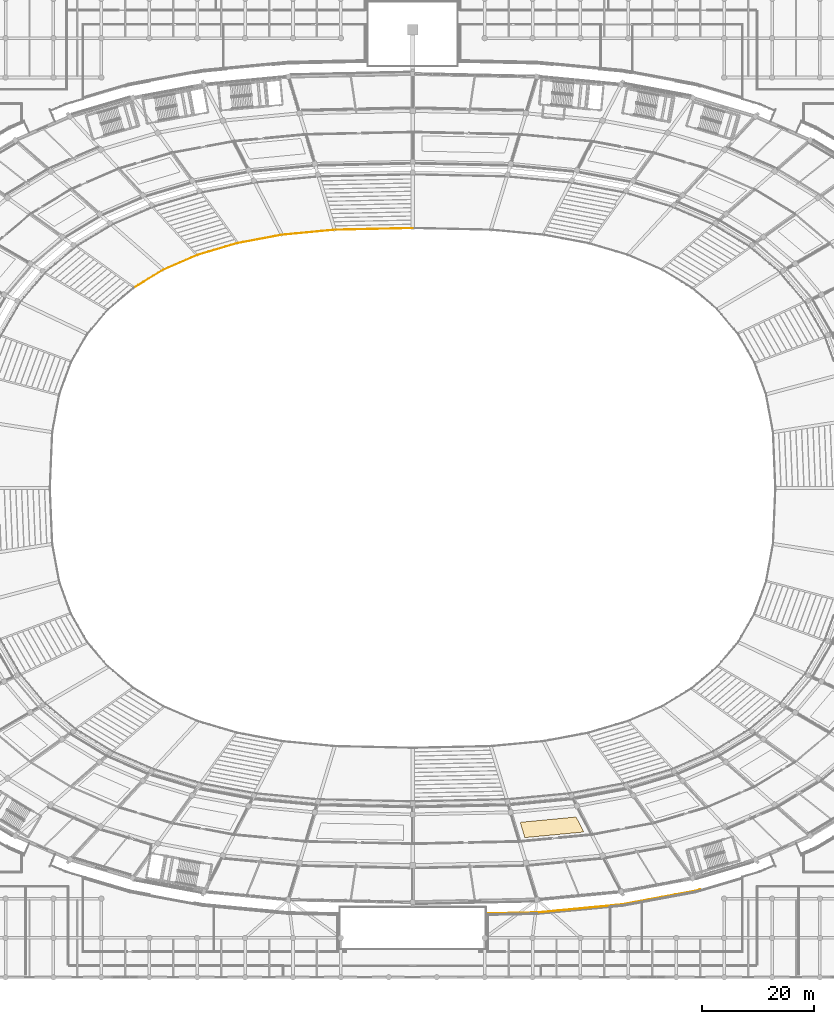
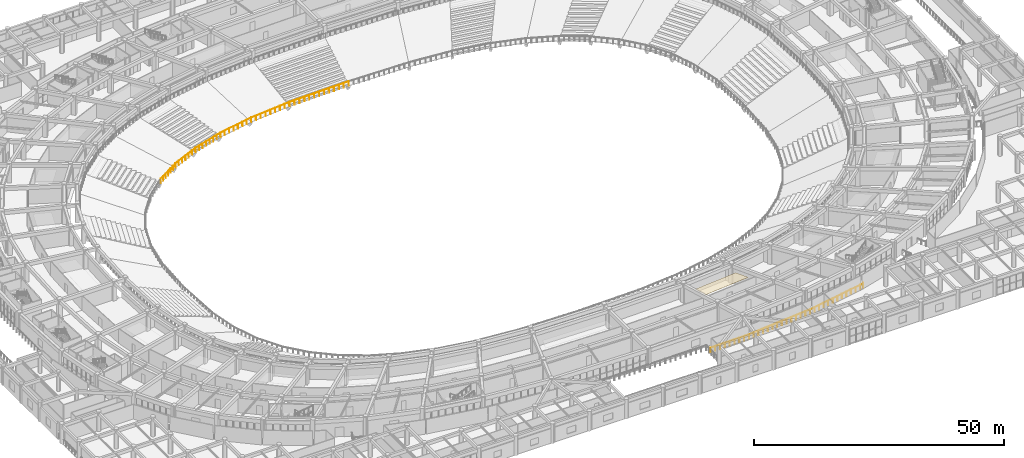
# One storey, part 133 of 152: 2 railings, 1 covering.
"""IFC4 building model written with IfcOpenShell, lengths in metres."""

from ifc_helpers import new_model, si_unit, direction, frame, origin, origin_2d, place, context, subcontext, project, spatial, polyline, circle, outline, extrude, material, layer, layer_set, type_object, element, save


model = new_model("IFC4")

# Units and contexts
model_context = context("Model", 3, precision=1e-05, world=origin(), true_north=direction((0.0, 1.0)))
body_context = subcontext(model_context, "Body", "Model", "MODEL_VIEW")
ifc_project = project(units=[si_unit("LENGTHUNIT", "METRE"), si_unit("AREAUNIT", "SQUARE_METRE"), si_unit("VOLUMEUNIT", "CUBIC_METRE"), si_unit("PLANEANGLEUNIT", "RADIAN"), si_unit("MASSUNIT", "GRAM", prefix="KILO")], contexts=[model_context])

# Site, building, storey
site_placement = place(None, origin())
site = spatial("IfcSite", under=ifc_project, at=site_placement, CompositionType="ELEMENT")
building_placement = place(site_placement, origin())
building = spatial("IfcBuilding", under=site, at=building_placement, Name="Mphavela Belvedere Stadium", CompositionType="ELEMENT")
storey_placement = place(building_placement, frame((0.0, 0.0, 5.39990234375)))
storey = spatial("IfcBuildingStorey", under=building, at=storey_placement, Name="L01", CompositionType="ELEMENT", Elevation=5.39990234375)

# Covering
ifc_material_1 = material(Name="Perforated acoustic mineral ceiling tile")
ifc_layer = layer(ifc_material_1, 0.0400390625)
ifc_layer_set = layer_set([ifc_layer], Name="Perforated acoustic mineral ceiling tile")
covering_type = type_object("IfcCoveringType", Name="COV-CEILING-ACOUSTIC", PredefinedType="CEILING", material=ifc_layer_set)
covering_placement = place(storey_placement, frame((0.0, 0.0, 3.5)))
element("IfcCovering", 1, at=covering_placement, inside=storey, type_object=covering_type, Name="Concourse acoustic ceiling L01-38", PredefinedType="CEILING", context=body_context, shape_type="SweptSolid", body=[
    extrude(outline(polyline([(134.110595703125, 27.56298828125), (144.038818359375, 28.509765625), (145.41552734375, 25.8447265625), (134.931640625, 24.84521484375), (134.110595703125, 27.56298828125)])), origin(), (0.0, 0.0, 1.0), 0.0400390625),
])

# Railings
ifc_material_2 = material(Name="Bronze and laminated glass stadium balustrade", Category="glass")
railing_type = type_object("IfcRailingType", Name="RAL-BALUSTRADE-1120", PredefinedType="BALUSTRADE", material=ifc_material_2)
railing_1_placement = place(storey_placement, frame((115.0, 133.217529296875, -4.099853515625)))
element("IfcRailing", 2, at=railing_1_placement, inside=storey, type_object=railing_type, Name="Bowl safety balustrade t1_front S3", PredefinedType="BALUSTRADE", context=body_context, shape_type="SweptSolid", body=[
    extrude(circle(Radius=0.02392578125, at=origin_2d()), frame((0.0, 0.0, 1.09619140625), z_axis=(-0.99976811519, -0.021534062558, 0.0), x_axis=(0.021534062558, -0.99976811519, 0.0)), (0.0, 0.0, 1.0), 13.876953125),
    extrude(circle(Radius=0.02392578125, at=origin_2d()), frame((-13.873779296875, -0.298828125, 1.09619140625), z_axis=(-0.995485107266, -0.094917865605, 0.0), x_axis=(0.094917865605, -0.995485107266, 0.0)), (0.0, 0.0, 1.0), 9.4267578125),
    extrude(circle(Radius=0.02392578125, at=origin_2d()), frame((-23.258056640625, -1.193603515625, 1.09619140625), z_axis=(-0.983092319169, -0.183110600433, 0.0), x_axis=(0.183110600433, -0.983092319169, 0.0)), (0.0, 0.0, 1.0), 8.12255859375),
    extrude(circle(Radius=0.02392578125, at=origin_2d()), frame((-31.2431640625, -2.680908203125, 1.09619140625), z_axis=(-0.958662145349, -0.284546817018, 0.0), x_axis=(0.284546817018, -0.958662145349, 0.0)), (0.0, 0.0, 1.0), 7.287841796875),
    extrude(circle(Radius=0.02392578125, at=origin_2d()), frame((-38.229736328125, -4.754638671875, 1.09619140625), z_axis=(-0.917505783131, -0.397722438293, 0.0), x_axis=(0.397722438293, -0.917505783131, 0.0)), (0.0, 0.0, 1.0), 6.672607421875),
    extrude(circle(Radius=0.02392578125, at=origin_2d()), frame((-44.351806640625, -7.408447265625, 1.09619140625), z_axis=(-0.854317681937, -0.519751188868, 0.0), x_axis=(0.519751188868, -0.854317681937, 0.0)), (0.0, 0.0, 1.0), 6.212158203125),
    extrude(circle(Radius=0.02099609375, at=origin_2d()), origin(), (0.0, 0.0, 1.0), 1.072021484375),
    extrude(circle(Radius=0.02099609375, at=origin_2d()), frame((-1.15625, -0.02490234375, 0.0)), (0.0, 0.0, 1.0), 1.072021484375),
    extrude(circle(Radius=0.02099609375, at=origin_2d()), frame((-2.312255859375, -0.0498046875, 0.0)), (0.0, 0.0, 1.0), 1.072021484375),
    extrude(circle(Radius=0.02099609375, at=origin_2d()), frame((-3.468505859375, -0.07470703125, 0.0)), (0.0, 0.0, 1.0), 1.072021484375),
    extrude(circle(Radius=0.02099609375, at=origin_2d()), frame((-4.62451171875, -0.099609375, 0.0)), (0.0, 0.0, 1.0), 1.072021484375),
    extrude(circle(Radius=0.02099609375, at=origin_2d()), frame((-5.78076171875, -0.12451171875, 0.0)), (0.0, 0.0, 1.0), 1.072021484375),
    extrude(circle(Radius=0.02099609375, at=origin_2d()), frame((-6.93701171875, -0.1494140625, 0.0)), (0.0, 0.0, 1.0), 1.072021484375),
    extrude(circle(Radius=0.02099609375, at=origin_2d()), frame((-8.093017578125, -0.17431640625, 0.0)), (0.0, 0.0, 1.0), 1.072021484375),
    extrude(circle(Radius=0.02099609375, at=origin_2d()), frame((-9.249267578125, -0.19921875, 0.0)), (0.0, 0.0, 1.0), 1.072021484375),
    extrude(circle(Radius=0.02099609375, at=origin_2d()), frame((-10.4052734375, -0.22412109375, 0.0)), (0.0, 0.0, 1.0), 1.072021484375),
    extrude(circle(Radius=0.02099609375, at=origin_2d()), frame((-11.5615234375, -0.2490234375, 0.0)), (0.0, 0.0, 1.0), 1.072021484375),
    extrude(circle(Radius=0.02099609375, at=origin_2d()), frame((-12.717529296875, -0.27392578125, 0.0)), (0.0, 0.0, 1.0), 1.072021484375),
    extrude(circle(Radius=0.02099609375, at=origin_2d()), frame((-13.873779296875, -0.298828125, 0.0)), (0.0, 0.0, 1.0), 1.072021484375),
    extrude(circle(Radius=0.02099609375, at=origin_2d()), frame((-15.046875, -0.41064453125, 0.0)), (0.0, 0.0, 1.0), 1.072021484375),
    extrude(circle(Radius=0.02099609375, at=origin_2d()), frame((-16.2197265625, -0.5224609375, 0.0)), (0.0, 0.0, 1.0), 1.072021484375),
    extrude(circle(Radius=0.02099609375, at=origin_2d()), frame((-17.392822265625, -0.63427734375, 0.0)), (0.0, 0.0, 1.0), 1.072021484375),
    extrude(circle(Radius=0.02099609375, at=origin_2d()), frame((-18.56591796875, -0.74609375, 0.0)), (0.0, 0.0, 1.0), 1.072021484375),
    extrude(circle(Radius=0.02099609375, at=origin_2d()), frame((-19.739013671875, -0.858154296875, 0.0)), (0.0, 0.0, 1.0), 1.072021484375),
    extrude(circle(Radius=0.02099609375, at=origin_2d()), frame((-20.912109375, -0.969970703125, 0.0)), (0.0, 0.0, 1.0), 1.072021484375),
    extrude(circle(Radius=0.02099609375, at=origin_2d()), frame((-22.0849609375, -1.081787109375, 0.0)), (0.0, 0.0, 1.0), 1.072021484375),
    extrude(circle(Radius=0.02099609375, at=origin_2d()), frame((-23.258056640625, -1.193603515625, 0.0)), (0.0, 0.0, 1.0), 1.072021484375),
    extrude(circle(Radius=0.02099609375, at=origin_2d()), frame((-24.398681640625, -1.406005859375, 0.0)), (0.0, 0.0, 1.0), 1.072021484375),
    extrude(circle(Radius=0.02099609375, at=origin_2d()), frame((-25.53955078125, -1.61865234375, 0.0)), (0.0, 0.0, 1.0), 1.072021484375),
    extrude(circle(Radius=0.02099609375, at=origin_2d()), frame((-26.68017578125, -1.8310546875, 0.0)), (0.0, 0.0, 1.0), 1.072021484375),
    extrude(circle(Radius=0.02099609375, at=origin_2d()), frame((-27.821044921875, -2.04345703125, 0.0)), (0.0, 0.0, 1.0), 1.072021484375),
    extrude(circle(Radius=0.02099609375, at=origin_2d()), frame((-28.961669921875, -2.255859375, 0.0)), (0.0, 0.0, 1.0), 1.072021484375),
    extrude(circle(Radius=0.02099609375, at=origin_2d()), frame((-30.1025390625, -2.468505859375, 0.0)), (0.0, 0.0, 1.0), 1.072021484375),
    extrude(circle(Radius=0.02099609375, at=origin_2d()), frame((-31.2431640625, -2.680908203125, 0.0)), (0.0, 0.0, 1.0), 1.072021484375),
    extrude(circle(Radius=0.02099609375, at=origin_2d()), frame((-32.2412109375, -2.97705078125, 0.0)), (0.0, 0.0, 1.0), 1.072021484375),
    extrude(circle(Radius=0.02099609375, at=origin_2d()), frame((-33.2392578125, -3.2734375, 0.0)), (0.0, 0.0, 1.0), 1.072021484375),
    extrude(circle(Radius=0.02099609375, at=origin_2d()), frame((-34.2373046875, -3.569580078125, 0.0)), (0.0, 0.0, 1.0), 1.072021484375),
    extrude(circle(Radius=0.02099609375, at=origin_2d()), frame((-35.235595703125, -3.865966796875, 0.0)), (0.0, 0.0, 1.0), 1.072021484375),
    extrude(circle(Radius=0.02099609375, at=origin_2d()), frame((-36.233642578125, -4.162109375, 0.0)), (0.0, 0.0, 1.0), 1.072021484375),
    extrude(circle(Radius=0.02099609375, at=origin_2d()), frame((-37.231689453125, -4.45849609375, 0.0)), (0.0, 0.0, 1.0), 1.072021484375),
    extrude(circle(Radius=0.02099609375, at=origin_2d()), frame((-38.229736328125, -4.754638671875, 0.0)), (0.0, 0.0, 1.0), 1.072021484375),
    extrude(circle(Radius=0.02099609375, at=origin_2d()), frame((-39.25, -5.197021484375, 0.0)), (0.0, 0.0, 1.0), 1.072021484375),
    extrude(circle(Radius=0.02099609375, at=origin_2d()), frame((-40.2705078125, -5.63916015625, 0.0)), (0.0, 0.0, 1.0), 1.072021484375),
    extrude(circle(Radius=0.02099609375, at=origin_2d()), frame((-41.290771484375, -6.08154296875, 0.0)), (0.0, 0.0, 1.0), 1.072021484375),
    extrude(circle(Radius=0.02099609375, at=origin_2d()), frame((-42.31103515625, -6.52392578125, 0.0)), (0.0, 0.0, 1.0), 1.072021484375),
    extrude(circle(Radius=0.02099609375, at=origin_2d()), frame((-43.33154296875, -6.966064453125, 0.0)), (0.0, 0.0, 1.0), 1.072021484375),
    extrude(circle(Radius=0.02099609375, at=origin_2d()), frame((-44.351806640625, -7.408447265625, 0.0)), (0.0, 0.0, 1.0), 1.072021484375),
    extrude(circle(Radius=0.02099609375, at=origin_2d()), frame((-45.236328125, -7.946533203125, 0.0)), (0.0, 0.0, 1.0), 1.072021484375),
    extrude(circle(Radius=0.02099609375, at=origin_2d()), frame((-46.120849609375, -8.484619140625, 0.0)), (0.0, 0.0, 1.0), 1.072021484375),
    extrude(circle(Radius=0.02099609375, at=origin_2d()), frame((-47.00537109375, -9.02294921875, 0.0)), (0.0, 0.0, 1.0), 1.072021484375),
    extrude(circle(Radius=0.02099609375, at=origin_2d()), frame((-47.889892578125, -9.56103515625, 0.0)), (0.0, 0.0, 1.0), 1.072021484375),
    extrude(circle(Radius=0.02099609375, at=origin_2d()), frame((-48.7744140625, -10.09912109375, 0.0)), (0.0, 0.0, 1.0), 1.072021484375),
    extrude(circle(Radius=0.02099609375, at=origin_2d()), frame((-49.658935546875, -10.63720703125, 0.0)), (0.0, 0.0, 1.0), 1.072021484375),
])
railing_2_placement = place(storey_placement, frame((128.280029296875, 11.33544921875, 0.0)))
element("IfcRailing", 3, at=railing_2_placement, inside=storey, type_object=railing_type, Name="Peristyle wing gallery edge balustrade L01-05", PredefinedType="BALUSTRADE", context=body_context, shape_type="SweptSolid", body=[
    extrude(circle(Radius=0.02392578125, at=origin_2d()), frame((0.0, 0.0, 1.09619140625), z_axis=(0.999754122282, 0.022174196285, 0.0), x_axis=(-0.022174196285, 0.999754122282, 0.0)), (0.0, 0.0, 1.0), 9.05029296875),
    extrude(circle(Radius=0.02392578125, at=origin_2d()), frame((9.048095703125, 0.20068359375, 1.09619140625), z_axis=(0.995483637339, 0.094933280733, 0.0), x_axis=(-0.094933280733, 0.995483637339, 0.0)), (0.0, 0.0, 1.0), 15.029052734375),
    extrude(circle(Radius=0.02392578125, at=origin_2d()), frame((24.00927734375, 1.62744140625, 1.09619140625), z_axis=(0.983218910266, 0.18242964259, 0.0), x_axis=(-0.18242964259, 0.983218910266, 0.0)), (0.0, 0.0, 1.0), 13.14990234375),
    extrude(circle(Radius=0.02392578125, at=origin_2d()), frame((36.9384765625, 4.0263671875, 1.09619140625), z_axis=(0.962491054974, 0.271313414882, 0.0), x_axis=(-0.271313414882, 0.962491054974, 0.0)), (0.0, 0.0, 1.0), 0.908935546875),
    extrude(circle(Radius=0.02099609375, at=origin_2d()), origin(), (0.0, 0.0, 1.0), 1.072021484375),
    extrude(circle(Radius=0.02099609375, at=origin_2d()), frame((1.131103515625, 0.025146484375, 0.0)), (0.0, 0.0, 1.0), 1.072021484375),
    extrude(circle(Radius=0.02099609375, at=origin_2d()), frame((2.261962890625, 0.05029296875, 0.0)), (0.0, 0.0, 1.0), 1.072021484375),
    extrude(circle(Radius=0.02099609375, at=origin_2d()), frame((3.39306640625, 0.0751953125, 0.0)), (0.0, 0.0, 1.0), 1.072021484375),
    extrude(circle(Radius=0.02099609375, at=origin_2d()), frame((4.52392578125, 0.100341796875, 0.0)), (0.0, 0.0, 1.0), 1.072021484375),
    extrude(circle(Radius=0.02099609375, at=origin_2d()), frame((5.655029296875, 0.12548828125, 0.0)), (0.0, 0.0, 1.0), 1.072021484375),
    extrude(circle(Radius=0.02099609375, at=origin_2d()), frame((6.7861328125, 0.150390625, 0.0)), (0.0, 0.0, 1.0), 1.072021484375),
    extrude(circle(Radius=0.02099609375, at=origin_2d()), frame((7.9169921875, 0.175537109375, 0.0)), (0.0, 0.0, 1.0), 1.072021484375),
    extrude(circle(Radius=0.02099609375, at=origin_2d()), frame((9.048095703125, 0.20068359375, 0.0)), (0.0, 0.0, 1.0), 1.072021484375),
    extrude(circle(Radius=0.02099609375, at=origin_2d()), frame((10.198974609375, 0.310546875, 0.0)), (0.0, 0.0, 1.0), 1.072021484375),
    extrude(circle(Radius=0.02099609375, at=origin_2d()), frame((11.349853515625, 0.420166015625, 0.0)), (0.0, 0.0, 1.0), 1.072021484375),
    extrude(circle(Radius=0.02099609375, at=origin_2d()), frame((12.500732421875, 0.530029296875, 0.0)), (0.0, 0.0, 1.0), 1.072021484375),
    extrude(circle(Radius=0.02099609375, at=origin_2d()), frame((13.651611328125, 0.6396484375, 0.0)), (0.0, 0.0, 1.0), 1.072021484375),
    extrude(circle(Radius=0.02099609375, at=origin_2d()), frame((14.802490234375, 0.74951171875, 0.0)), (0.0, 0.0, 1.0), 1.072021484375),
    extrude(circle(Radius=0.02099609375, at=origin_2d()), frame((15.953369140625, 0.859130859375, 0.0)), (0.0, 0.0, 1.0), 1.072021484375),
    extrude(circle(Radius=0.02099609375, at=origin_2d()), frame((17.10400390625, 0.968994140625, 0.0)), (0.0, 0.0, 1.0), 1.072021484375),
    extrude(circle(Radius=0.02099609375, at=origin_2d()), frame((18.2548828125, 1.07861328125, 0.0)), (0.0, 0.0, 1.0), 1.072021484375),
    extrude(circle(Radius=0.02099609375, at=origin_2d()), frame((19.40576171875, 1.1884765625, 0.0)), (0.0, 0.0, 1.0), 1.072021484375),
    extrude(circle(Radius=0.02099609375, at=origin_2d()), frame((20.556640625, 1.298095703125, 0.0)), (0.0, 0.0, 1.0), 1.072021484375),
    extrude(circle(Radius=0.02099609375, at=origin_2d()), frame((21.70751953125, 1.407958984375, 0.0)), (0.0, 0.0, 1.0), 1.072021484375),
    extrude(circle(Radius=0.02099609375, at=origin_2d()), frame((22.8583984375, 1.517578125, 0.0)), (0.0, 0.0, 1.0), 1.072021484375),
    extrude(circle(Radius=0.02099609375, at=origin_2d()), frame((24.00927734375, 1.62744140625, 0.0)), (0.0, 0.0, 1.0), 1.072021484375),
    extrude(circle(Radius=0.02099609375, at=origin_2d()), frame((25.1845703125, 1.845458984375, 0.0)), (0.0, 0.0, 1.0), 1.072021484375),
    extrude(circle(Radius=0.02099609375, at=origin_2d()), frame((26.360107421875, 2.063720703125, 0.0)), (0.0, 0.0, 1.0), 1.072021484375),
    extrude(circle(Radius=0.02099609375, at=origin_2d()), frame((27.535400390625, 2.28173828125, 0.0)), (0.0, 0.0, 1.0), 1.072021484375),
    extrude(circle(Radius=0.02099609375, at=origin_2d()), frame((28.710693359375, 2.499755859375, 0.0)), (0.0, 0.0, 1.0), 1.072021484375),
    extrude(circle(Radius=0.02099609375, at=origin_2d()), frame((29.88623046875, 2.7177734375, 0.0)), (0.0, 0.0, 1.0), 1.072021484375),
    extrude(circle(Radius=0.02099609375, at=origin_2d()), frame((31.0615234375, 2.93603515625, 0.0)), (0.0, 0.0, 1.0), 1.072021484375),
    extrude(circle(Radius=0.02099609375, at=origin_2d()), frame((32.237060546875, 3.154052734375, 0.0)), (0.0, 0.0, 1.0), 1.072021484375),
    extrude(circle(Radius=0.02099609375, at=origin_2d()), frame((33.412353515625, 3.3720703125, 0.0)), (0.0, 0.0, 1.0), 1.072021484375),
    extrude(circle(Radius=0.02099609375, at=origin_2d()), frame((34.587646484375, 3.590087890625, 0.0)), (0.0, 0.0, 1.0), 1.072021484375),
    extrude(circle(Radius=0.02099609375, at=origin_2d()), frame((35.76318359375, 3.808349609375, 0.0)), (0.0, 0.0, 1.0), 1.072021484375),
    extrude(circle(Radius=0.02099609375, at=origin_2d()), frame((36.9384765625, 4.0263671875, 0.0)), (0.0, 0.0, 1.0), 1.072021484375),
    extrude(circle(Radius=0.02099609375, at=origin_2d()), frame((37.813232421875, 4.27294921875, 0.0)), (0.0, 0.0, 1.0), 1.072021484375),
])

save(model, "model.ifc")
